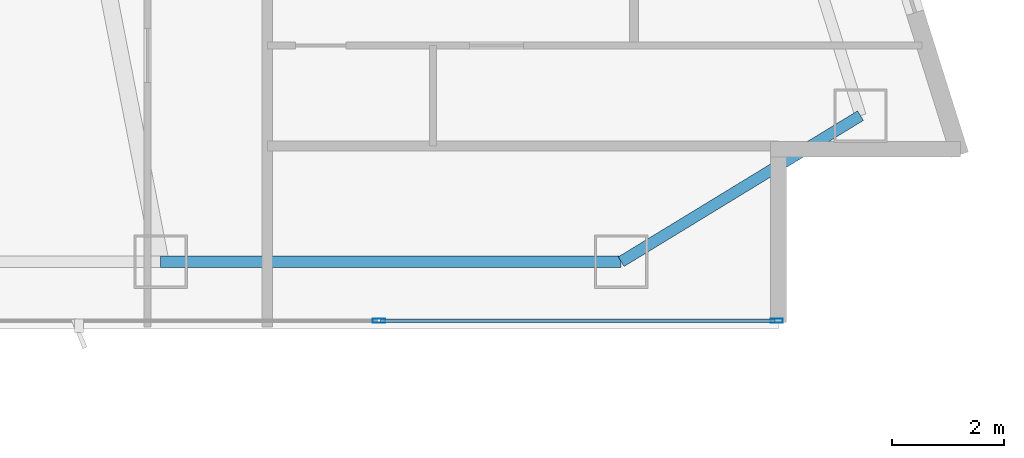
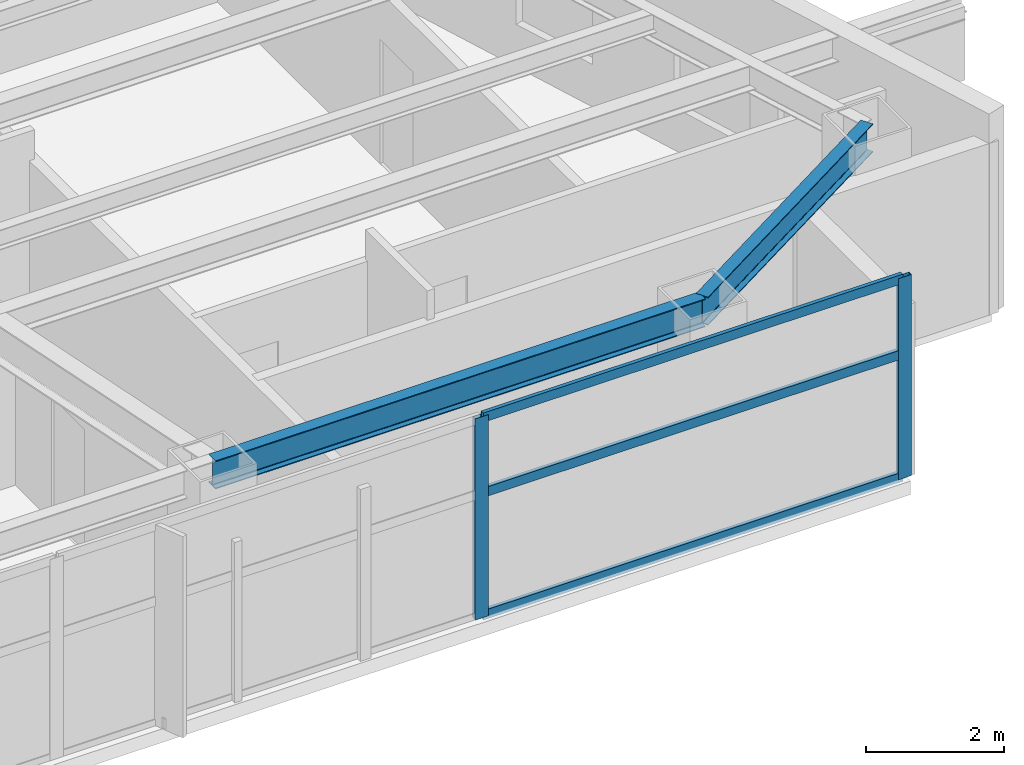
# One storey, part 14 of 29: 5 members, 2 beams, 1 element without a shape of its own.
"""IFC4 building model written with IfcOpenShell, lengths in metres."""

from ifc_helpers import new_model, si_unit, direction, frame, origin, origin_2d, place, context, subcontext, project, spatial, hollow_rectangle, i_section, extrude, material, layer, layer_set, material_profile, profile_set, type_object, element, aggregate, save


model = new_model("IFC4")

# Units and contexts
model_context = context("Model", 3, precision=1e-05, world=origin(), true_north=direction((0.0, 1.0)))
body_context = subcontext(model_context, "Body", "Model", "MODEL_VIEW")
ifc_project = project(units=[si_unit("LENGTHUNIT", "METRE"), si_unit("AREAUNIT", "SQUARE_METRE"), si_unit("VOLUMEUNIT", "CUBIC_METRE"), si_unit("PLANEANGLEUNIT", "RADIAN"), si_unit("MASSUNIT", "GRAM", prefix="KILO")], contexts=[model_context])

# Site, building, storey
site_placement = place(None, origin())
site = spatial("IfcSite", under=ifc_project, at=site_placement, CompositionType="ELEMENT")
building_placement = place(site_placement, origin())
building = spatial("IfcBuilding", under=site, at=building_placement, Name="Calvorn Quay Hotel", CompositionType="ELEMENT")
storey_placement = place(building_placement, frame((0.0, 0.0, 69.800048828125)))
storey = spatial("IfcBuildingStorey", under=building, at=storey_placement, Name="L16", CompositionType="ELEMENT", Elevation=69.800048828125)

# Beams
ifc_material_1 = material(Name="Steel Q355B", Category="steel")
ifc_material_profile_1 = material_profile(ifc_material_1, i_section(OverallWidth=0.199951171875, OverallDepth=0.5, WebThickness=0.010009765625, FlangeThickness=0.01611328125, FilletRadius=0.01611328125, at=origin_2d()), Name="HN500x200x10x16")
ifc_profile_set_1 = profile_set([ifc_material_profile_1], Name="Steel Q355B")
beam_type = type_object("IfcBeamType", Name="BM-SPANDREL-Z1", PredefinedType="SPANDREL", material=ifc_profile_set_1)
beam_1_placement = place(storey_placement, frame((49.39990234375, 3.60009765625, 3.2900390625), z_axis=(1.0, 0.0, 0.0), x_axis=(0.0, 1.0, 0.0)))
element("IfcBeam", 1, at=beam_1_placement, inside=storey, type_object=beam_type, Name="Beam BSP-L16-S6", PredefinedType="SPANDREL", context=body_context, shape_type="SweptSolid", body=[
    extrude(i_section(OverallWidth=0.199951171875, OverallDepth=0.5, WebThickness=0.010009765625, FlangeThickness=0.01611328125, FilletRadius=0.01611328125, at=origin_2d()), origin(), (0.0, 0.0, 1.0), 8.2001953125),
])
beam_2_placement = place(storey_placement, frame((57.60009765625, 3.60009765625, 3.2900390625), z_axis=(0.853645546466, 0.520854376, 0.0), x_axis=(-0.520854376, 0.853645546466, 0.0)))
element("IfcBeam", 2, at=beam_2_placement, inside=storey, type_object=beam_type, Name="Beam BSP-L16-S7", PredefinedType="SPANDREL", context=body_context, shape_type="SweptSolid", body=[
    extrude(i_section(OverallWidth=0.199951171875, OverallDepth=0.5, WebThickness=0.010009765625, FlangeThickness=0.01611328125, FilletRadius=0.01611328125, at=origin_2d()), origin(), (0.0, 0.0, 1.0), 4.991455078125),
])

# Curtain wall, members
ifc_material_2 = material(Name="Pale Anodised Aluminium and Low-E Glass", Category="aluminium")
ifc_layer = layer(ifc_material_2, 0.219970703125)
ifc_layer_set = layer_set([ifc_layer], Name="CW-SYS-Z1")
curtain_wall_type = type_object("IfcCurtainWallType", Name="CW-SYS-Z1", PredefinedType="NOTDEFINED", material=ifc_layer_set)
curtain_wall_placement = place(storey_placement, origin())
curtain_wall = element("IfcCurtainWall", 3, at=curtain_wall_placement, inside=storey, type_object=curtain_wall_type, Name="Tower South Waterfront Curtain Wall (L16)", PredefinedType="NOTDEFINED")
ifc_material_3 = material(Name="Pale Anodised Aluminium 6063-T6", Category="aluminium")
ifc_material_profile_2 = material_profile(ifc_material_3, hollow_rectangle(XDim=0.074951171875, YDim=0.219970703125, WallThickness=0.00439453125, at=origin_2d()), Name="ALU-M220x75x4.5")
ifc_profile_set_2 = profile_set([ifc_material_profile_2], Name="Pale Anodised Aluminium 6063-T6")
member_type_1 = type_object("IfcMemberType", Name="CW-SYS-Z1-MUL", PredefinedType="MULLION", material=ifc_profile_set_2)
member_1_placement = place(storey_placement, frame((53.28564453125, 2.550048828125, 0.0), z_axis=(0.0, 0.0, 1.0), x_axis=(0.0, 1.0, 0.0)))
member_1 = element("IfcMember", 4, at=member_1_placement, type_object=member_type_1, Name="CW-L16-S mullion 7", PredefinedType="MULLION", context=body_context, shape_type="SweptSolid", body=[
    extrude(hollow_rectangle(XDim=0.074951171875, YDim=0.219970703125, WallThickness=0.00439453125, at=origin_2d()), origin(), (0.0, 0.0, 1.0), 3.56005859375),
])
member_2_placement = place(storey_placement, frame((60.3701171875, 2.550048828125, 0.0), z_axis=(0.0, 0.0, 1.0), x_axis=(0.0, 1.0, 0.0)))
member_2 = element("IfcMember", 5, at=member_2_placement, type_object=member_type_1, Name="CW-L16-S mullion 8", PredefinedType="MULLION", context=body_context, shape_type="SweptSolid", body=[
    extrude(hollow_rectangle(XDim=0.074951171875, YDim=0.219970703125, WallThickness=0.00439453125, at=origin_2d()), origin(), (0.0, 0.0, 1.0), 3.56005859375),
])
ifc_material_4 = material(Name="Pale Anodised Aluminium 6063-T6", Category="aluminium")
ifc_material_profile_3 = material_profile(ifc_material_4, hollow_rectangle(XDim=0.06494140625, YDim=0.1650390625, WallThickness=0.00341796875, at=origin_2d()), Name="ALU-T165x65x3.5")
ifc_profile_set_3 = profile_set([ifc_material_profile_3], Name="Pale Anodised Aluminium 6063-T6")
member_type_2 = type_object("IfcMemberType", Name="CW-SYS-Z1-TRN", PredefinedType="USERDEFINED", material=ifc_profile_set_3)
member_3_placement = place(storey_placement, frame((53.315673828125, 2.550048828125, 0.030029296875), z_axis=(1.0, 0.0, 0.0), x_axis=(0.0, 1.0, 0.0)))
member_3 = element("IfcMember", 6, at=member_3_placement, type_object=member_type_2, Name="CW-L16-S transom 7.1", ObjectType="TRANSOM", PredefinedType="USERDEFINED", context=body_context, shape_type="SweptSolid", body=[
    extrude(hollow_rectangle(XDim=0.06494140625, YDim=0.1650390625, WallThickness=0.00341796875, at=origin_2d()), origin(), (0.0, 0.0, 1.0), 7.0244140625),
])
member_4_placement = place(storey_placement, frame((53.315673828125, 2.550048828125, 2.199951171875), z_axis=(1.0, 0.0, 0.0), x_axis=(0.0, 1.0, 0.0)))
member_4 = element("IfcMember", 7, at=member_4_placement, type_object=member_type_2, Name="CW-L16-S transom 7.2", ObjectType="TRANSOM", PredefinedType="USERDEFINED", context=body_context, shape_type="SweptSolid", body=[
    extrude(hollow_rectangle(XDim=0.06494140625, YDim=0.1650390625, WallThickness=0.00341796875, at=origin_2d()), origin(), (0.0, 0.0, 1.0), 7.0244140625),
])
member_5_placement = place(storey_placement, frame((53.315673828125, 2.550048828125, 3.530029296875), z_axis=(1.0, 0.0, 0.0), x_axis=(0.0, 1.0, 0.0)))
member_5 = element("IfcMember", 8, at=member_5_placement, type_object=member_type_2, Name="CW-L16-S transom 7.3", ObjectType="TRANSOM", PredefinedType="USERDEFINED", context=body_context, shape_type="SweptSolid", body=[
    extrude(hollow_rectangle(XDim=0.06494140625, YDim=0.1650390625, WallThickness=0.00341796875, at=origin_2d()), origin(), (0.0, 0.0, 1.0), 7.0244140625),
])
aggregate(curtain_wall, [member_1, member_2, member_3, member_4, member_5])

save(model, "model.ifc")
